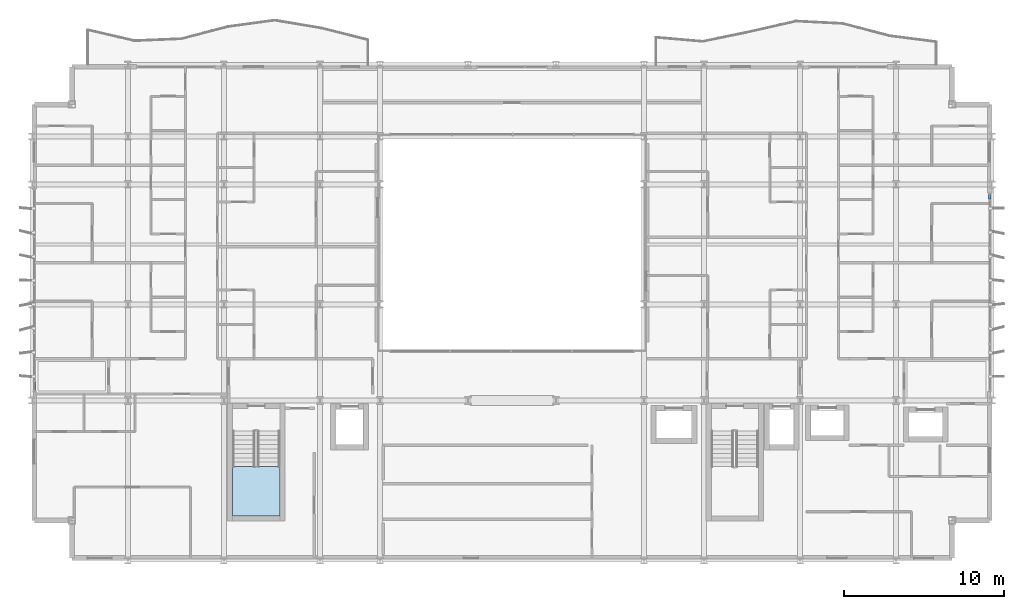
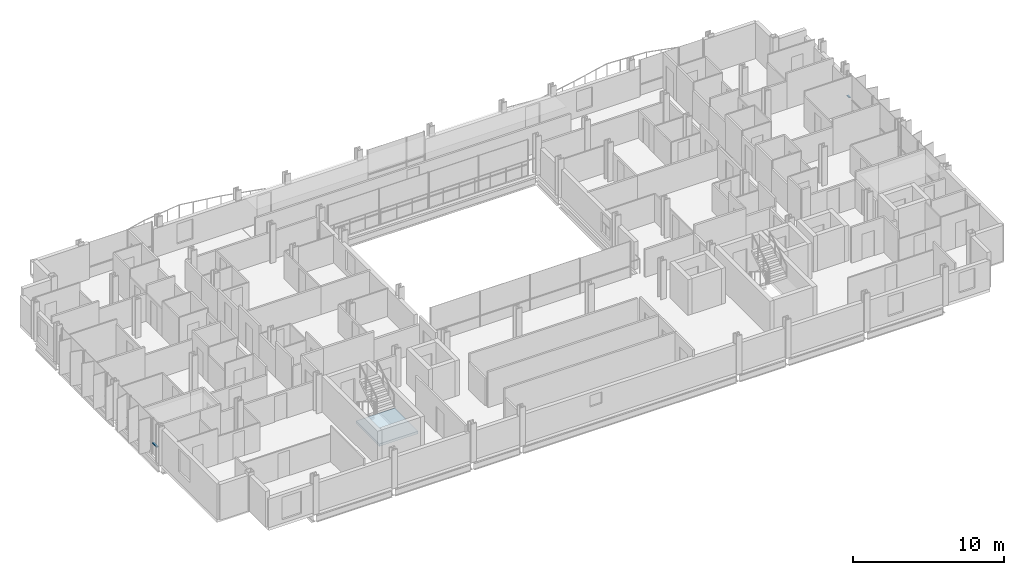
# One storey, part 21 of 39: 2 members, 1 slab, 3 elements without a shape of their own.
"""IFC4 building model written with IfcOpenShell, lengths in metres."""

from ifc_helpers import new_model, si_unit, direction, frame, origin, origin_2d, place, context, subcontext, project, spatial, polyline, hollow_rectangle, outline, extrude, material, layer, layer_set, material_profile, profile_set, type_object, element, aggregate, save


model = new_model("IFC4")

# Units and contexts
model_context = context("Model", 3, precision=1e-05, world=origin(), true_north=direction((0.0, 1.0)))
body_context = subcontext(model_context, "Body", "Model", "MODEL_VIEW")
ifc_project = project(units=[si_unit("LENGTHUNIT", "METRE"), si_unit("AREAUNIT", "SQUARE_METRE"), si_unit("VOLUMEUNIT", "CUBIC_METRE"), si_unit("PLANEANGLEUNIT", "RADIAN"), si_unit("MASSUNIT", "GRAM", prefix="KILO")], contexts=[model_context])

# Site, building, storey
site_placement = place(None, origin())
site = spatial("IfcSite", under=ifc_project, at=site_placement, CompositionType="ELEMENT")
building_placement = place(site_placement, origin())
building = spatial("IfcBuilding", under=site, at=building_placement, Name="Brevholm Reach", CompositionType="ELEMENT")
storey_placement = place(building_placement, frame((0.0, 0.0, 34.199951171875)))
storey = spatial("IfcBuildingStorey", under=building, at=storey_placement, Name="L08", CompositionType="ELEMENT", Elevation=34.199951171875)

# Curtain wall, member
ifc_material_1 = material(Name="Dark Anodised Aluminium 6063-T6 and Solar-Control Glass", Category="aluminium")
ifc_layer_1 = layer(ifc_material_1, 0.14990234375)
ifc_layer_set_1 = layer_set([ifc_layer_1], Name="Dark Anodised Aluminium 6063-T6 and Solar-Control Glass")
curtain_wall_type = type_object("IfcCurtainWallType", Name="CW-01", PredefinedType="NOTDEFINED", material=ifc_layer_set_1)
curtain_wall_1_placement = place(storey_placement, origin())
curtain_wall_1 = element("IfcCurtainWall", 1, at=curtain_wall_1_placement, inside=storey, type_object=curtain_wall_type, Name="L08 Curtain Wall CW-01", PredefinedType="NOTDEFINED")
ifc_material_2 = material(Name="Dark Anodised Aluminium 6063-T6", Category="aluminium")
ifc_material_profile = material_profile(ifc_material_2, hollow_rectangle(XDim=0.06494140625, YDim=0.14990234375, WallThickness=0.0048828125, InnerFilletRadius=0.0048828125, OuterFilletRadius=0.010009765625, at=origin_2d()), Name="RHS 150x65x5")
ifc_profile_set = profile_set([ifc_material_profile], Name="Dark Anodised Aluminium 6063-T6")
member_type = type_object("IfcMemberType", Name="CWT-150", PredefinedType="NOTDEFINED", material=ifc_profile_set)
member_1_placement = place(storey_placement, frame((0.14990234375, 11.1875, 0.900146484375), z_axis=(0.0, -1.0, 0.0), x_axis=(0.0, 0.0, 1.0)))
member_1 = element("IfcMember", 2, at=member_1_placement, type_object=member_type, Name="CT-150 Transom 5.1", ObjectType="TRANSOM", PredefinedType="USERDEFINED", context=body_context, shape_type="SweptSolid", body=[
    extrude(hollow_rectangle(XDim=0.06494140625, YDim=0.14990234375, WallThickness=0.0048828125, InnerFilletRadius=0.0048828125, OuterFilletRadius=0.010009765625, at=origin_2d()), origin(), (0.0, 0.0, 1.0), 0.572509765625),
])
aggregate(curtain_wall_1, [member_1])

curtain_wall_2_placement = place(storey_placement, origin())
curtain_wall_2 = element("IfcCurtainWall", 3, at=curtain_wall_2_placement, inside=storey, type_object=curtain_wall_type, Name="L08 Curtain Wall CW-01", PredefinedType="NOTDEFINED")
member_2_placement = place(storey_placement, frame((59.85009765625, 22.58251953125, 0.900146484375), z_axis=(0.0, 1.0, 0.0), x_axis=(0.0, 0.0, 1.0)))
member_2 = element("IfcMember", 4, at=member_2_placement, type_object=member_type, Name="CT-150 Transom 5.1", ObjectType="TRANSOM", PredefinedType="USERDEFINED", context=body_context, shape_type="SweptSolid", body=[
    extrude(hollow_rectangle(XDim=0.06494140625, YDim=0.14990234375, WallThickness=0.0048828125, InnerFilletRadius=0.0048828125, OuterFilletRadius=0.010009765625, at=origin_2d()), origin(), (0.0, 0.0, 1.0), 0.302490234375),
])
aggregate(curtain_wall_2, [member_2])

# Stair, slab
ifc_material_3 = material(Name="Precast Concrete C40/50", Category="concrete")
stair_type = type_object("IfcStairType", Name="STR-ESC-1400", PredefinedType="DOUBLE_RETURN_STAIR", material=ifc_material_3)
stair_placement = place(storey_placement, origin())
stair = element("IfcStair", 5, at=stair_placement, inside=storey, type_object=stair_type, Name="L08 ST-1", PredefinedType="DOUBLE_RETURN_STAIR")
ifc_material_4 = material(Name="Concrete C40/50", Category="concrete")
ifc_layer_2 = layer(ifc_material_4, 0.199951171875)
ifc_layer_set_2 = layer_set([ifc_layer_2], Name="Concrete C40/50")
slab_type = type_object("IfcSlabType", Name="SLB-LND-200", PredefinedType="LANDING", material=ifc_layer_set_2)
slab_placement = place(storey_placement, frame((0.0, 0.0, 1.35009765625)))
slab = element("IfcSlab", 6, at=slab_placement, type_object=slab_type, Name="ST-1 landing 1", PredefinedType="LANDING", context=body_context, shape_type="SweptSolid", body=[
    extrude(outline(polyline([(12.550048828125, 5.860107421875), (12.550048828125, 2.780029296875), (15.5, 2.780029296875), (15.5, 5.860107421875), (12.550048828125, 5.860107421875)])), origin(), (0.0, 0.0, 1.0), 0.199951171875),
])
aggregate(stair, [slab])

save(model, "model.ifc")
